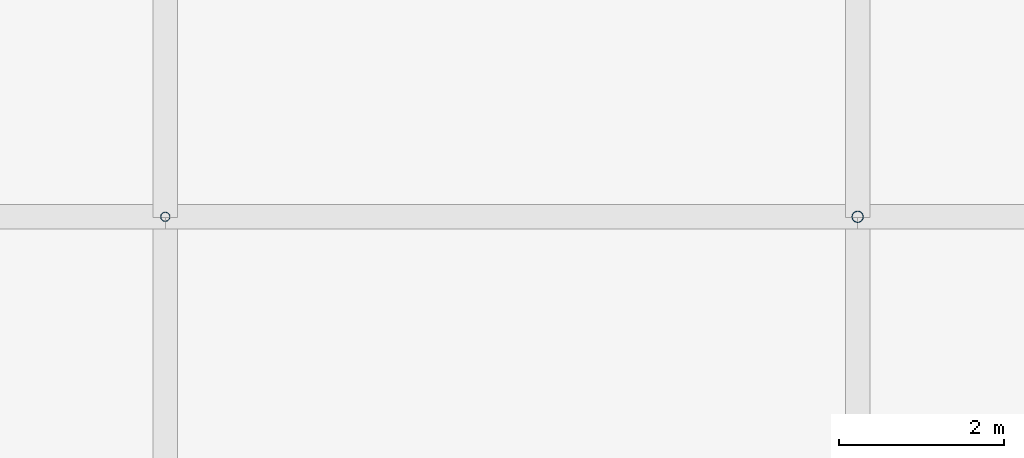
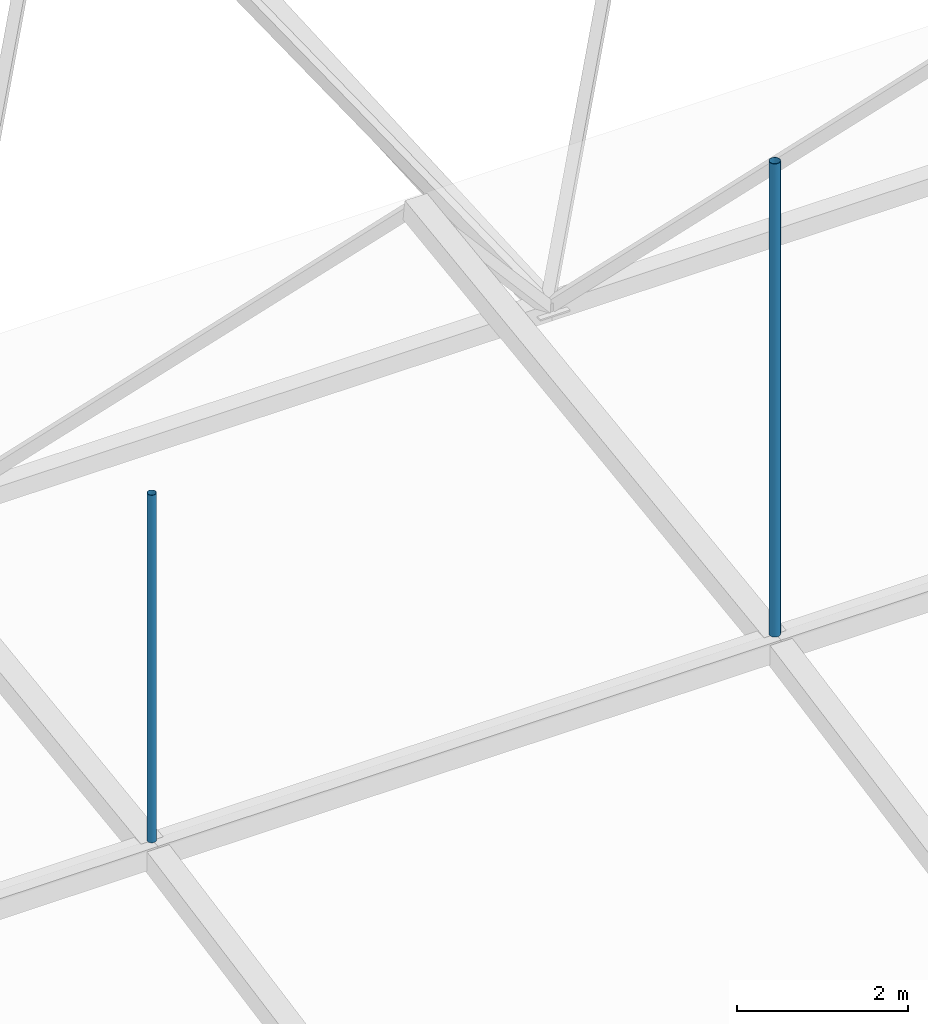
# One storey, part 33 of 111: 2 discrete accessories.
"""IFC4 building model written with IfcOpenShell, lengths in metres."""

from ifc_helpers import new_model, si_unit, direction, frame, origin, origin_2d, place, context, subcontext, project, spatial, hollow_circle, extrude, material, material_profile, profile_set, type_object, element, save


model = new_model("IFC4")

# Units and contexts
model_context = context("Model", 3, precision=1e-05, world=origin(), true_north=direction((0.0, 1.0)))
body_context = subcontext(model_context, "Body", "Model", "MODEL_VIEW")
ifc_project = project(units=[si_unit("LENGTHUNIT", "METRE"), si_unit("AREAUNIT", "SQUARE_METRE"), si_unit("VOLUMEUNIT", "CUBIC_METRE"), si_unit("PLANEANGLEUNIT", "RADIAN"), si_unit("MASSUNIT", "GRAM", prefix="KILO")], contexts=[model_context])

# Site, building, storey
site_placement = place(None, origin())
site = spatial("IfcSite", under=ifc_project, at=site_placement, CompositionType="ELEMENT")
building_placement = place(site_placement, origin())
building = spatial("IfcBuilding", under=site, at=building_placement, Name="Rain Tree Exposition and Congress Centre", CompositionType="ELEMENT")
storey_placement = place(building_placement, frame((0.0, 0.0, 19.5)))
storey = spatial("IfcBuildingStorey", under=building, at=storey_placement, Name="RF", CompositionType="ELEMENT", Elevation=19.5)

# Discrete accessories
ifc_material_1 = material(Name="Steel S355J2H", Category="steel")
ifc_material_profile_1 = material_profile(ifc_material_1, hollow_circle(Radius=0.05712890625, WallThickness=0.00439453125, at=origin_2d()), Name="CHS 114x4.5")
ifc_profile_set_1 = profile_set([ifc_material_profile_1], Name="Steel S355J2H")
discrete_accessory_type_1 = type_object("IfcDiscreteAccessoryType", Name="Roof skin post CHS 114x4.5", PredefinedType="BRACKET", material=ifc_profile_set_1)
discrete_accessory_1_placement = place(storey_placement, frame((67.199951171875, 126.0, 4.843017578125), z_axis=(0.0, 0.0, 1.0), x_axis=(1.0, 0.0, 0.0)))
element("IfcDiscreteAccessory", 1, at=discrete_accessory_1_placement, inside=storey, type_object=discrete_accessory_type_1, Name="Roof skin post A53", PredefinedType="BRACKET", context=body_context, shape_type="SweptSolid", body=[
    extrude(hollow_circle(Radius=0.05712890625, WallThickness=0.00439453125, at=origin_2d()), origin(), (0.0, 0.0, 1.0), 4.952880859375),
])
ifc_material_2 = material(Name="Steel S355J2H", Category="steel")
ifc_material_profile_2 = material_profile(ifc_material_2, hollow_circle(Radius=0.06982421875, WallThickness=0.0048828125, at=origin_2d()), Name="CHS 140x5")
ifc_profile_set_2 = profile_set([ifc_material_profile_2], Name="Steel S355J2H")
discrete_accessory_type_2 = type_object("IfcDiscreteAccessoryType", Name="Roof skin post CHS 140x5", PredefinedType="BRACKET", material=ifc_profile_set_2)
discrete_accessory_2_placement = place(storey_placement, frame((75.60009765625, 126.0, 4.843017578125), z_axis=(0.0, 0.0, 1.0), x_axis=(1.0, 0.0, 0.0)))
element("IfcDiscreteAccessory", 2, at=discrete_accessory_2_placement, inside=storey, type_object=discrete_accessory_type_2, Name="Roof skin post A54", PredefinedType="BRACKET", context=body_context, shape_type="SweptSolid", body=[
    extrude(hollow_circle(Radius=0.06982421875, WallThickness=0.0048828125, at=origin_2d()), origin(), (0.0, 0.0, 1.0), 6.743896484375),
])

save(model, "model.ifc")
